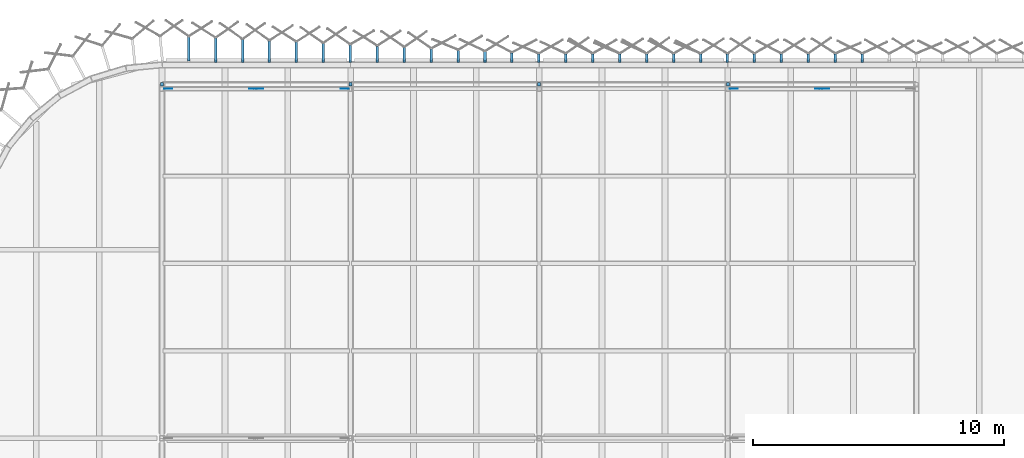
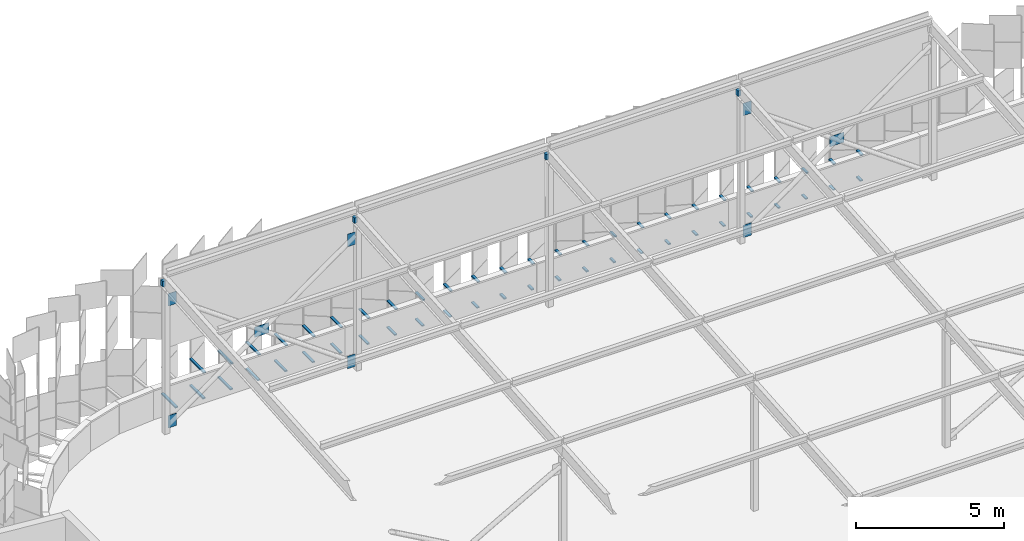
# One storey, part 452 of 483: 63 discrete accessories.
"""IFC4 building model written with IfcOpenShell, lengths in metres."""

import ifcopenshell
import ifcopenshell.guid

model = None  # the IFC model being written
_history = None  # IfcOwnerHistory: only IFC2X3 demands one
_inside = {}  # id of a spatial element -> (the spatial element, [elements in it])
_under = {}  # id of a project, library or spatial element -> (it, [spatial elements below it])
_declared = {}  # id of a project -> (the project, [libraries it declares])
_typed = {}  # id of a type object -> (the type object, [elements of that type])
_made_of = {}  # id of a material, layer set ... -> (it, [elements and type objects made of it])


def new_model(schema):
    """Start an empty IFC model of exactly this schema.

    Asked for "IFC4X3", IfcOpenShell would pick the latest addendum, in which some entities
    have other attributes; the version numbers below select the first issue.
    IFC2X3 requires an IfcOwnerHistory on every rooted entity: one is made here for all.
    """
    global model, _history
    if schema == "IFC4X3":
        model = ifcopenshell.file(schema_version=(4, 3, 0, 0))
    else:
        model = ifcopenshell.file(schema=schema)
    _inside.clear()
    _under.clear()
    _declared.clear()
    _typed.clear()
    _made_of.clear()
    _history = None
    if model.schema == "IFC2X3":
        org = make("IfcOrganization", Name="unknown")
        user = make(
            "IfcPersonAndOrganization",
            ThePerson=make("IfcPerson", FamilyName="unknown"),
            TheOrganization=org,
        )
        app = make(
            "IfcApplication",
            ApplicationDeveloper=org,
            Version="unknown",
            ApplicationFullName="unknown",
            ApplicationIdentifier="unknown",
        )
        _history = make(
            "IfcOwnerHistory",
            OwningUser=user,
            OwningApplication=app,
            ChangeAction="ADDED",
            CreationDate=0,
        )
    return model


def make(cls, **values):
    """One entity of the class cls with the attributes given. An attribute that is None is left unset."""
    return model.create_entity(
        cls, **{name: value for name, value in values.items() if value is not None}
    )


def rooted(cls, **values):
    """An entity with a GlobalId (a new one), such as an element, a storey or a relation."""
    return make(cls, GlobalId=ifcopenshell.guid.new(), OwnerHistory=_history, **values)


def si_unit(unit_type, name, prefix=None):
    """IfcSIUnit, for example si_unit("LENGTHUNIT", "METRE", prefix="MILLI")."""
    return make("IfcSIUnit", UnitType=unit_type, Prefix=prefix, Name=name)


def assignment(units):
    """IfcUnitAssignment: the units of a project."""
    return None if units is None else make("IfcUnitAssignment", Units=units)


def point(xyz):
    """IfcCartesianPoint."""
    return None if xyz is None else make("IfcCartesianPoint", Coordinates=xyz)


def direction(xyz):
    """IfcDirection."""
    return None if xyz is None else make("IfcDirection", DirectionRatios=xyz)


def frame(location, z_axis=None, x_axis=None):
    """IfcAxis2Placement3D, a coordinate frame: its origin and axes. An axis left out is left unset."""
    return make(
        "IfcAxis2Placement3D",
        Location=point(location),
        Axis=direction(z_axis),
        RefDirection=direction(x_axis),
    )


def frame_2d(location, x_axis=None):
    """IfcAxis2Placement2D, a coordinate frame in the plane: its origin and x axis."""
    return make(
        "IfcAxis2Placement2D", Location=point(location), RefDirection=direction(x_axis)
    )


def origin():
    """The frame at (0, 0, 0) with its axes left unset."""
    return frame((0.0, 0.0, 0.0))


def origin_2d():
    """The frame at (0, 0) in the plane with its x axis left unset."""
    return frame_2d((0.0, 0.0))


def place(relative_to, where):
    """IfcLocalPlacement: puts the frame where relative to a parent placement (None: the world)."""
    return make(
        "IfcLocalPlacement", PlacementRelTo=relative_to, RelativePlacement=where
    )


def context(
    kind, dimensions, precision=None, world=None, true_north=None, identifier=None
):
    """IfcGeometricRepresentationContext, for example the 3D "Model" context."""
    return make(
        "IfcGeometricRepresentationContext",
        ContextIdentifier=identifier,
        ContextType=kind,
        CoordinateSpaceDimension=dimensions,
        Precision=precision,
        WorldCoordinateSystem=world,
        TrueNorth=true_north,
    )


def subcontext(parent, identifier, kind, view, scale=None):
    """IfcGeometricRepresentationSubContext, for example "Body" below "Model"."""
    return make(
        "IfcGeometricRepresentationSubContext",
        ContextIdentifier=identifier,
        ContextType=kind,
        ParentContext=parent,
        TargetScale=scale,
        TargetView=view,
    )


def project(units=None, contexts=None):
    """IfcProject with its units and contexts."""
    return rooted(
        "IfcProject",
        Name="project",
        RepresentationContexts=contexts,
        UnitsInContext=assignment(units),
    )


def spatial(cls, under=None, at=None, **own):
    """A site, building, storey or space (cls), placed at a placement, below another one or the project."""
    s = rooted(cls, ObjectPlacement=at, **own)
    if under is not None:
        _under.setdefault(under.id(), (under, []))[1].append(s)
    return s


def polyline(points):
    """IfcPolyline through the points."""
    return make("IfcPolyline", Points=[point(p) for p in points])


def profile(cls, at=None, kind="AREA", **sizes):
    """A parametric profile (cls). Its sizes go by their IFC names, for example OverallWidth=200.0."""
    return make(cls, ProfileType=kind, Position=at, **sizes)


def rectangle(**sizes):
    """IfcRectangleProfileDef."""
    return profile("IfcRectangleProfileDef", **sizes)


def outline(outer, holes=None, kind="AREA"):
    """IfcArbitraryClosedProfileDef: a profile drawn as a closed curve; with holes, ...WithVoids."""
    if holes is None:
        return make("IfcArbitraryClosedProfileDef", ProfileType=kind, OuterCurve=outer)
    return make(
        "IfcArbitraryProfileDefWithVoids",
        ProfileType=kind,
        OuterCurve=outer,
        InnerCurves=holes,
    )


def extrude(swept, where, along, depth):
    """IfcExtrudedAreaSolid: the profile swept, set in the frame where, extruded along a direction by depth."""
    return make(
        "IfcExtrudedAreaSolid",
        SweptArea=swept,
        Position=where,
        ExtrudedDirection=direction(along),
        Depth=depth,
    )


def shape(context_of_items, identifier, shape_type, items):
    """IfcShapeRepresentation: the items that make up one representation, for example the "Body"."""
    return make(
        "IfcShapeRepresentation",
        ContextOfItems=context_of_items,
        RepresentationIdentifier=identifier,
        RepresentationType=shape_type,
        Items=items,
    )


def material(Name=None, Category=None):
    """IfcMaterial."""
    return make("IfcMaterial", Name=Name, Category=Category)


def layer(
    of_material, thickness, ventilated=None, Name=None, Category=None, Priority=None
):
    """IfcMaterialLayer: one layer of a wall or slab, of a material (None: an air gap)."""
    return make(
        "IfcMaterialLayer",
        Material=of_material,
        LayerThickness=thickness,
        IsVentilated=ventilated,
        Name=Name,
        Category=Category,
        Priority=Priority,
    )


def layer_set(layers, Name=None):
    """IfcMaterialLayerSet."""
    return make("IfcMaterialLayerSet", MaterialLayers=layers, LayerSetName=Name)


def made_of(thing, what):
    """Note that an element or type object is made of a material, layer set ...; save() writes the relation."""
    if what is not None:
        _made_of.setdefault(what.id(), (what, []))[1].append(thing)
    return thing


def type_object(cls, material=None, **own):
    """A type object (cls), such as IfcWallType, which elements share."""
    return made_of(rooted(cls, **own), material)


def element(
    cls,
    number,
    at=None,
    inside=None,
    cuts=None,
    type_object=None,
    material=None,
    context=None,
    identifier="Body",
    shape_type=None,
    held_by="IfcProductDefinitionShape",
    body=None,
    shapes=None,
    **own,
):
    """One element of the class cls, such as IfcWall. Its Tag is "e" and its number.

    at: its placement. inside: the storey or other place that contains it. cuts: it is an
    opening in that element (IfcRelVoidsElement). A single representation is given by context,
    identifier, shape_type and body (its items); several are given by shapes. held_by: the class
    of the entity that holds the representations. save() writes the other relations.
    """
    e = rooted(cls, Tag="e%d" % number, ObjectPlacement=at, **own)
    if body is not None:
        shapes = [shape(context, identifier, shape_type, body)]
    if shapes is not None:
        e.Representation = make(held_by, Representations=shapes)
    if inside is not None:
        _inside.setdefault(inside.id(), (inside, []))[1].append(e)
    if cuts is not None:
        rooted(
            "IfcRelVoidsElement", RelatingBuildingElement=cuts, RelatedOpeningElement=e
        )
    if type_object is not None:
        _typed.setdefault(type_object.id(), (type_object, []))[1].append(e)
    return made_of(e, material)


def aggregate(whole, parts):
    """IfcRelAggregates: a whole, such as a stair, and the parts it consists of."""
    return rooted("IfcRelAggregates", RelatingObject=whole, RelatedObjects=parts)


def save(model, path):
    """Write the relations noted so far, then the file.

    IfcRelAggregates (storeys below a building ...), IfcRelContainedInSpatialStructure (elements
    in a storey), IfcRelDefinesByType, IfcRelAssociatesMaterial and IfcRelDeclares: one each for
    every whole, place, type object, material and project.
    """
    for whole, parts in _under.values():
        aggregate(whole, parts)
    for where, things in _inside.values():
        rooted(
            "IfcRelContainedInSpatialStructure",
            RelatedElements=things,
            RelatingStructure=where,
        )
    for kind, things in _typed.values():
        rooted("IfcRelDefinesByType", RelatedObjects=things, RelatingType=kind)
    for what, things in _made_of.values():
        rooted("IfcRelAssociatesMaterial", RelatedObjects=things, RelatingMaterial=what)
    for by, libraries in _declared.values():
        rooted("IfcRelDeclares", RelatingContext=by, RelatedDefinitions=libraries)
    model.write(path)


model = new_model("IFC4")

# Units and contexts
model_context = context("Model", 3, precision=1e-05, world=origin(), true_north=direction((0.0, 1.0)))
body_context = subcontext(model_context, "Body", "Model", "MODEL_VIEW")
ifc_project = project(units=[si_unit("LENGTHUNIT", "METRE"), si_unit("AREAUNIT", "SQUARE_METRE"), si_unit("VOLUMEUNIT", "CUBIC_METRE"), si_unit("PLANEANGLEUNIT", "RADIAN"), si_unit("MASSUNIT", "GRAM", prefix="KILO")], contexts=[model_context])

# Site, building, storey
site_placement = place(None, origin())
site = spatial("IfcSite", under=ifc_project, at=site_placement, CompositionType="ELEMENT")
building_placement = place(site_placement, origin())
building = spatial("IfcBuilding", under=site, at=building_placement, Name="Parallax Yard Mobility Hub", CompositionType="ELEMENT")
storey_placement = place(building_placement, frame((0.0, 0.0, 13.199951171875)))
storey = spatial("IfcBuildingStorey", under=building, at=storey_placement, Name="L04", CompositionType="ELEMENT", Elevation=13.199951171875)

# Discrete accessories
ifc_material_1 = material(Name="Steel ASTM A36", Category="steel")
ifc_layer = layer(ifc_material_1, 0.011962890625)
ifc_layer_set = layer_set([ifc_layer], Name="Gusset plate PL12")
discrete_accessory_type_1 = type_object("IfcDiscreteAccessoryType", Name="Gusset plate PL12", PredefinedType="BRACKET", material=ifc_layer_set)
discrete_accessory_1_placement = place(storey_placement, frame((0.0, 0.0, 0.150146484375)))
element("IfcDiscreteAccessory", 1, at=discrete_accessory_1_placement, inside=storey, type_object=discrete_accessory_type_1, Name="Gusset plate PL12 RC bay N-A bay 1 foot on post N-A1", PredefinedType="BRACKET", context=body_context, shape_type="SweptSolid", body=[
    extrude(outline(polyline([(30.08154296875, 141.39404296875), (30.401611328125, 141.39404296875), (30.401611328125, 141.406005859375), (30.08154296875, 141.406005859375), (30.08154296875, 141.39404296875)])), origin(), (0.0, 0.0, 1.0), 0.515380859375),
])
discrete_accessory_2_placement = place(storey_placement, frame((0.0, 0.0, 5.196533203125)))
element("IfcDiscreteAccessory", 2, at=discrete_accessory_2_placement, inside=storey, type_object=discrete_accessory_type_1, Name="Gusset plate PL12 RC bay N-A bay 1 head on post N-A2", PredefinedType="BRACKET", context=body_context, shape_type="SweptSolid", body=[
    extrude(outline(polyline([(37.41845703125, 141.406005859375), (37.098388671875, 141.406005859375), (37.098388671875, 141.39404296875), (37.41845703125, 141.39404296875), (37.41845703125, 141.406005859375)])), origin(), (0.0, 0.0, 1.0), 0.515625),
])
discrete_accessory_3_placement = place(storey_placement, frame((0.0, 0.0, 0.150146484375)))
element("IfcDiscreteAccessory", 3, at=discrete_accessory_3_placement, inside=storey, type_object=discrete_accessory_type_1, Name="Gusset plate PL12 RC bay N-A bay 1 foot on post N-A2", PredefinedType="BRACKET", context=body_context, shape_type="SweptSolid", body=[
    extrude(outline(polyline([(37.41845703125, 141.406005859375), (37.098388671875, 141.406005859375), (37.098388671875, 141.39404296875), (37.41845703125, 141.39404296875), (37.41845703125, 141.406005859375)])), origin(), (0.0, 0.0, 1.0), 0.515380859375),
])
discrete_accessory_4_placement = place(storey_placement, frame((0.0, 0.0, 5.196533203125)))
element("IfcDiscreteAccessory", 4, at=discrete_accessory_4_placement, inside=storey, type_object=discrete_accessory_type_1, Name="Gusset plate PL12 RC bay N-A bay 1 head on post N-A1", PredefinedType="BRACKET", context=body_context, shape_type="SweptSolid", body=[
    extrude(outline(polyline([(30.08154296875, 141.39404296875), (30.401611328125, 141.39404296875), (30.401611328125, 141.406005859375), (30.08154296875, 141.406005859375), (30.08154296875, 141.39404296875)])), origin(), (0.0, 0.0, 1.0), 0.515625),
])
discrete_accessory_5_placement = place(storey_placement, frame((0.0, 0.0, 2.720947265625)))
element("IfcDiscreteAccessory", 5, at=discrete_accessory_5_placement, inside=storey, type_object=discrete_accessory_type_1, Name="Gusset plate PL12 RC bay N-A bay 1 crossing node", PredefinedType="BRACKET", context=body_context, shape_type="SweptSolid", body=[
    extrude(outline(polyline([(33.469970703125, 141.39404296875), (34.030029296875, 141.39404296875), (34.030029296875, 141.406005859375), (33.469970703125, 141.406005859375), (33.469970703125, 141.39404296875)])), origin(), (0.0, 0.0, 1.0), 0.420166015625),
])
discrete_accessory_6_placement = place(storey_placement, frame((0.0, 0.0, 0.150146484375)))
element("IfcDiscreteAccessory", 6, at=discrete_accessory_6_placement, inside=storey, type_object=discrete_accessory_type_1, Name="Gusset plate PL12 RC bay N-A bay 4 foot on post N-A4", PredefinedType="BRACKET", context=body_context, shape_type="SweptSolid", body=[
    extrude(outline(polyline([(52.58154296875, 141.39404296875), (52.901611328125, 141.39404296875), (52.901611328125, 141.406005859375), (52.58154296875, 141.406005859375), (52.58154296875, 141.39404296875)])), origin(), (0.0, 0.0, 1.0), 0.515380859375),
])
discrete_accessory_7_placement = place(storey_placement, frame((0.0, 0.0, 5.196533203125)))
element("IfcDiscreteAccessory", 7, at=discrete_accessory_7_placement, inside=storey, type_object=discrete_accessory_type_1, Name="Gusset plate PL12 RC bay N-A bay 4 head on post N-A4", PredefinedType="BRACKET", context=body_context, shape_type="SweptSolid", body=[
    extrude(outline(polyline([(52.58154296875, 141.39404296875), (52.901611328125, 141.39404296875), (52.901611328125, 141.406005859375), (52.58154296875, 141.406005859375), (52.58154296875, 141.39404296875)])), origin(), (0.0, 0.0, 1.0), 0.515625),
])
discrete_accessory_8_placement = place(storey_placement, frame((0.0, 0.0, 2.720947265625)))
element("IfcDiscreteAccessory", 8, at=discrete_accessory_8_placement, inside=storey, type_object=discrete_accessory_type_1, Name="Gusset plate PL12 RC bay N-A bay 4 crossing node", PredefinedType="BRACKET", context=body_context, shape_type="SweptSolid", body=[
    extrude(outline(polyline([(55.969970703125, 141.39404296875), (56.530029296875, 141.39404296875), (56.530029296875, 141.406005859375), (55.969970703125, 141.406005859375), (55.969970703125, 141.39404296875)])), origin(), (0.0, 0.0, 1.0), 0.420166015625),
])
ifc_material_2 = material(Name="Steel ASTM A36, hot-dip galvanised", Category="steel")
discrete_accessory_type_2 = type_object("IfcDiscreteAccessoryType", Name="Hinge bracket plate 100x50", PredefinedType="BRACKET", material=ifc_material_2)
discrete_accessory_9_placement = place(storey_placement, frame((57.845458984375, 142.6416015625, -0.02490234375), z_axis=(0.0, 0.0, 1.0), x_axis=(0.0, 1.0, 0.0)))
element("IfcDiscreteAccessory", 9, at=discrete_accessory_9_placement, inside=storey, type_object=discrete_accessory_type_2, Name="Hinge bracket plate bay 66.3 level L04", PredefinedType="BRACKET", context=body_context, shape_type="SweptSolid", body=[
    extrude(rectangle(XDim=0.2841796875, YDim=0.10009765625, at=origin_2d()), origin(), (0.0, 0.0, 1.0), 0.050048828125),
])
discrete_accessory_10_placement = place(storey_placement, frame((57.845458984375, 142.61865234375, 1.06982421875), z_axis=(0.0, 0.0, 1.0), x_axis=(0.0, 1.0, 0.0)))
element("IfcDiscreteAccessory", 10, at=discrete_accessory_10_placement, inside=storey, type_object=discrete_accessory_type_2, Name="Hinge bracket plate bay 66.3 level L04", PredefinedType="BRACKET", context=body_context, shape_type="SweptSolid", body=[
    extrude(rectangle(XDim=0.330078125, YDim=0.10009765625, at=origin_2d()), origin(), (0.0, 0.0, 1.0), 0.050048828125),
])
discrete_accessory_11_placement = place(storey_placement, frame((56.77392578125, 142.6416015625, -0.02490234375), z_axis=(0.0, 0.0, 1.0), x_axis=(0.0, 1.0, 0.0)))
element("IfcDiscreteAccessory", 11, at=discrete_accessory_11_placement, inside=storey, type_object=discrete_accessory_type_2, Name="Hinge bracket plate bay 66.4 level L04", PredefinedType="BRACKET", context=body_context, shape_type="SweptSolid", body=[
    extrude(rectangle(XDim=0.2841796875, YDim=0.10009765625, at=origin_2d()), origin(), (0.0, 0.0, 1.0), 0.050048828125),
])
discrete_accessory_12_placement = place(storey_placement, frame((56.77392578125, 142.61865234375, 1.06982421875), z_axis=(0.0, 0.0, 1.0), x_axis=(0.0, 1.0, 0.0)))
element("IfcDiscreteAccessory", 12, at=discrete_accessory_12_placement, inside=storey, type_object=discrete_accessory_type_2, Name="Hinge bracket plate bay 66.4 level L04", PredefinedType="BRACKET", context=body_context, shape_type="SweptSolid", body=[
    extrude(rectangle(XDim=0.330078125, YDim=0.10009765625, at=origin_2d()), origin(), (0.0, 0.0, 1.0), 0.050048828125),
])
discrete_accessory_13_placement = place(storey_placement, frame((55.702392578125, 142.6416015625, -0.02490234375), z_axis=(0.0, 0.0, 1.0), x_axis=(0.0, 1.0, 0.0)))
element("IfcDiscreteAccessory", 13, at=discrete_accessory_13_placement, inside=storey, type_object=discrete_accessory_type_2, Name="Hinge bracket plate bay 66.5 level L04", PredefinedType="BRACKET", context=body_context, shape_type="SweptSolid", body=[
    extrude(rectangle(XDim=0.2841796875, YDim=0.10009765625, at=origin_2d()), origin(), (0.0, 0.0, 1.0), 0.050048828125),
])
discrete_accessory_14_placement = place(storey_placement, frame((55.702392578125, 142.61865234375, 1.06982421875), z_axis=(0.0, 0.0, 1.0), x_axis=(0.0, 1.0, 0.0)))
element("IfcDiscreteAccessory", 14, at=discrete_accessory_14_placement, inside=storey, type_object=discrete_accessory_type_2, Name="Hinge bracket plate bay 66.5 level L04", PredefinedType="BRACKET", context=body_context, shape_type="SweptSolid", body=[
    extrude(rectangle(XDim=0.330078125, YDim=0.10009765625, at=origin_2d()), origin(), (0.0, 0.0, 1.0), 0.050048828125),
])
discrete_accessory_15_placement = place(storey_placement, frame((54.630859375, 142.6416015625, -0.02490234375), z_axis=(0.0, 0.0, 1.0), x_axis=(0.0, 1.0, 0.0)))
element("IfcDiscreteAccessory", 15, at=discrete_accessory_15_placement, inside=storey, type_object=discrete_accessory_type_2, Name="Hinge bracket plate bay 66.6 level L04", PredefinedType="BRACKET", context=body_context, shape_type="SweptSolid", body=[
    extrude(rectangle(XDim=0.2841796875, YDim=0.10009765625, at=origin_2d()), origin(), (0.0, 0.0, 1.0), 0.050048828125),
])
discrete_accessory_16_placement = place(storey_placement, frame((54.630859375, 142.61865234375, 1.06982421875), z_axis=(0.0, 0.0, 1.0), x_axis=(0.0, 1.0, 0.0)))
element("IfcDiscreteAccessory", 16, at=discrete_accessory_16_placement, inside=storey, type_object=discrete_accessory_type_2, Name="Hinge bracket plate bay 66.6 level L04", PredefinedType="BRACKET", context=body_context, shape_type="SweptSolid", body=[
    extrude(rectangle(XDim=0.330078125, YDim=0.10009765625, at=origin_2d()), origin(), (0.0, 0.0, 1.0), 0.050048828125),
])
discrete_accessory_17_placement = place(storey_placement, frame((53.55908203125, 142.6416015625, -0.02490234375), z_axis=(0.0, 0.0, 1.0), x_axis=(0.0, 1.0, 0.0)))
element("IfcDiscreteAccessory", 17, at=discrete_accessory_17_placement, inside=storey, type_object=discrete_accessory_type_2, Name="Hinge bracket plate bay 66.7 level L04", PredefinedType="BRACKET", context=body_context, shape_type="SweptSolid", body=[
    extrude(rectangle(XDim=0.2841796875, YDim=0.10009765625, at=origin_2d()), origin(), (0.0, 0.0, 1.0), 0.050048828125),
])
discrete_accessory_18_placement = place(storey_placement, frame((53.55908203125, 142.61865234375, 1.06982421875), z_axis=(0.0, 0.0, 1.0), x_axis=(0.0, 1.0, 0.0)))
element("IfcDiscreteAccessory", 18, at=discrete_accessory_18_placement, inside=storey, type_object=discrete_accessory_type_2, Name="Hinge bracket plate bay 66.7 level L04", PredefinedType="BRACKET", context=body_context, shape_type="SweptSolid", body=[
    extrude(rectangle(XDim=0.330078125, YDim=0.10009765625, at=origin_2d()), origin(), (0.0, 0.0, 1.0), 0.050048828125),
])
discrete_accessory_19_placement = place(storey_placement, frame((52.48779296875, 142.6416015625, -0.02490234375), z_axis=(0.0, 0.0, 1.0), x_axis=(0.0, 1.0, 0.0)))
element("IfcDiscreteAccessory", 19, at=discrete_accessory_19_placement, inside=storey, type_object=discrete_accessory_type_2, Name="Hinge bracket plate bay 67.1 level L04", PredefinedType="BRACKET", context=body_context, shape_type="SweptSolid", body=[
    extrude(rectangle(XDim=0.2841796875, YDim=0.10009765625, at=origin_2d()), origin(), (0.0, 0.0, 1.0), 0.050048828125),
])
discrete_accessory_20_placement = place(storey_placement, frame((52.48779296875, 142.61865234375, 1.06982421875), z_axis=(0.0, 0.0, 1.0), x_axis=(0.0, 1.0, 0.0)))
element("IfcDiscreteAccessory", 20, at=discrete_accessory_20_placement, inside=storey, type_object=discrete_accessory_type_2, Name="Hinge bracket plate bay 67.1 level L04", PredefinedType="BRACKET", context=body_context, shape_type="SweptSolid", body=[
    extrude(rectangle(XDim=0.330078125, YDim=0.10009765625, at=origin_2d()), origin(), (0.0, 0.0, 1.0), 0.050048828125),
])
discrete_accessory_21_placement = place(storey_placement, frame((51.416015625, 142.6416015625, -0.02490234375), z_axis=(0.0, 0.0, 1.0), x_axis=(0.0, 1.0, 0.0)))
element("IfcDiscreteAccessory", 21, at=discrete_accessory_21_placement, inside=storey, type_object=discrete_accessory_type_2, Name="Hinge bracket plate bay 67.2 level L04", PredefinedType="BRACKET", context=body_context, shape_type="SweptSolid", body=[
    extrude(rectangle(XDim=0.2841796875, YDim=0.10009765625, at=origin_2d()), origin(), (0.0, 0.0, 1.0), 0.050048828125),
])
discrete_accessory_22_placement = place(storey_placement, frame((51.416015625, 142.61865234375, 1.06982421875), z_axis=(0.0, 0.0, 1.0), x_axis=(0.0, 1.0, 0.0)))
element("IfcDiscreteAccessory", 22, at=discrete_accessory_22_placement, inside=storey, type_object=discrete_accessory_type_2, Name="Hinge bracket plate bay 67.2 level L04", PredefinedType="BRACKET", context=body_context, shape_type="SweptSolid", body=[
    extrude(rectangle(XDim=0.330078125, YDim=0.10009765625, at=origin_2d()), origin(), (0.0, 0.0, 1.0), 0.050048828125),
])
discrete_accessory_23_placement = place(storey_placement, frame((50.344482421875, 142.6416015625, -0.02490234375), z_axis=(0.0, 0.0, 1.0), x_axis=(0.0, 1.0, 0.0)))
element("IfcDiscreteAccessory", 23, at=discrete_accessory_23_placement, inside=storey, type_object=discrete_accessory_type_2, Name="Hinge bracket plate bay 67.3 level L04", PredefinedType="BRACKET", context=body_context, shape_type="SweptSolid", body=[
    extrude(rectangle(XDim=0.2841796875, YDim=0.10009765625, at=origin_2d()), origin(), (0.0, 0.0, 1.0), 0.050048828125),
])
discrete_accessory_24_placement = place(storey_placement, frame((50.344482421875, 142.61865234375, 1.06982421875), z_axis=(0.0, 0.0, 1.0), x_axis=(0.0, 1.0, 0.0)))
element("IfcDiscreteAccessory", 24, at=discrete_accessory_24_placement, inside=storey, type_object=discrete_accessory_type_2, Name="Hinge bracket plate bay 67.3 level L04", PredefinedType="BRACKET", context=body_context, shape_type="SweptSolid", body=[
    extrude(rectangle(XDim=0.330078125, YDim=0.10009765625, at=origin_2d()), origin(), (0.0, 0.0, 1.0), 0.050048828125),
])
discrete_accessory_25_placement = place(storey_placement, frame((49.27294921875, 142.6416015625, -0.02490234375), z_axis=(0.0, 0.0, 1.0), x_axis=(0.0, 1.0, 0.0)))
element("IfcDiscreteAccessory", 25, at=discrete_accessory_25_placement, inside=storey, type_object=discrete_accessory_type_2, Name="Hinge bracket plate bay 67.4 level L04", PredefinedType="BRACKET", context=body_context, shape_type="SweptSolid", body=[
    extrude(rectangle(XDim=0.2841796875, YDim=0.10009765625, at=origin_2d()), origin(), (0.0, 0.0, 1.0), 0.050048828125),
])
discrete_accessory_26_placement = place(storey_placement, frame((49.27294921875, 142.61865234375, 1.06982421875), z_axis=(0.0, 0.0, 1.0), x_axis=(0.0, 1.0, 0.0)))
element("IfcDiscreteAccessory", 26, at=discrete_accessory_26_placement, inside=storey, type_object=discrete_accessory_type_2, Name="Hinge bracket plate bay 67.4 level L04", PredefinedType="BRACKET", context=body_context, shape_type="SweptSolid", body=[
    extrude(rectangle(XDim=0.330078125, YDim=0.10009765625, at=origin_2d()), origin(), (0.0, 0.0, 1.0), 0.050048828125),
])
discrete_accessory_27_placement = place(storey_placement, frame((48.201416015625, 142.6416015625, -0.02490234375), z_axis=(0.0, 0.0, 1.0), x_axis=(0.0, 1.0, 0.0)))
element("IfcDiscreteAccessory", 27, at=discrete_accessory_27_placement, inside=storey, type_object=discrete_accessory_type_2, Name="Hinge bracket plate bay 67.5 level L04", PredefinedType="BRACKET", context=body_context, shape_type="SweptSolid", body=[
    extrude(rectangle(XDim=0.2841796875, YDim=0.10009765625, at=origin_2d()), origin(), (0.0, 0.0, 1.0), 0.050048828125),
])
discrete_accessory_28_placement = place(storey_placement, frame((48.201416015625, 142.61865234375, 1.06982421875), z_axis=(0.0, 0.0, 1.0), x_axis=(0.0, 1.0, 0.0)))
element("IfcDiscreteAccessory", 28, at=discrete_accessory_28_placement, inside=storey, type_object=discrete_accessory_type_2, Name="Hinge bracket plate bay 67.5 level L04", PredefinedType="BRACKET", context=body_context, shape_type="SweptSolid", body=[
    extrude(rectangle(XDim=0.330078125, YDim=0.10009765625, at=origin_2d()), origin(), (0.0, 0.0, 1.0), 0.050048828125),
])
discrete_accessory_29_placement = place(storey_placement, frame((47.1298828125, 142.6416015625, -0.02490234375), z_axis=(0.0, 0.0, 1.0), x_axis=(0.0, 1.0, 0.0)))
element("IfcDiscreteAccessory", 29, at=discrete_accessory_29_placement, inside=storey, type_object=discrete_accessory_type_2, Name="Hinge bracket plate bay 67.6 level L04", PredefinedType="BRACKET", context=body_context, shape_type="SweptSolid", body=[
    extrude(rectangle(XDim=0.2841796875, YDim=0.10009765625, at=origin_2d()), origin(), (0.0, 0.0, 1.0), 0.050048828125),
])
discrete_accessory_30_placement = place(storey_placement, frame((47.1298828125, 142.61865234375, 1.06982421875), z_axis=(0.0, 0.0, 1.0), x_axis=(0.0, 1.0, 0.0)))
element("IfcDiscreteAccessory", 30, at=discrete_accessory_30_placement, inside=storey, type_object=discrete_accessory_type_2, Name="Hinge bracket plate bay 67.6 level L04", PredefinedType="BRACKET", context=body_context, shape_type="SweptSolid", body=[
    extrude(rectangle(XDim=0.330078125, YDim=0.10009765625, at=origin_2d()), origin(), (0.0, 0.0, 1.0), 0.050048828125),
])
discrete_accessory_31_placement = place(storey_placement, frame((46.058349609375, 142.6416015625, -0.02490234375), z_axis=(0.0, 0.0, 1.0), x_axis=(0.0, 1.0, 0.0)))
element("IfcDiscreteAccessory", 31, at=discrete_accessory_31_placement, inside=storey, type_object=discrete_accessory_type_2, Name="Hinge bracket plate bay 67.7 level L04", PredefinedType="BRACKET", context=body_context, shape_type="SweptSolid", body=[
    extrude(rectangle(XDim=0.2841796875, YDim=0.10009765625, at=origin_2d()), origin(), (0.0, 0.0, 1.0), 0.050048828125),
])
discrete_accessory_32_placement = place(storey_placement, frame((46.058349609375, 142.61865234375, 1.06982421875), z_axis=(0.0, 0.0, 1.0), x_axis=(0.0, 1.0, 0.0)))
element("IfcDiscreteAccessory", 32, at=discrete_accessory_32_placement, inside=storey, type_object=discrete_accessory_type_2, Name="Hinge bracket plate bay 67.7 level L04", PredefinedType="BRACKET", context=body_context, shape_type="SweptSolid", body=[
    extrude(rectangle(XDim=0.330078125, YDim=0.10009765625, at=origin_2d()), origin(), (0.0, 0.0, 1.0), 0.050048828125),
])
discrete_accessory_33_placement = place(storey_placement, frame((44.98681640625, 142.6416015625, -0.02490234375), z_axis=(0.0, 0.0, 1.0), x_axis=(0.0, 1.0, 0.0)))
element("IfcDiscreteAccessory", 33, at=discrete_accessory_33_placement, inside=storey, type_object=discrete_accessory_type_2, Name="Hinge bracket plate bay 68.1 level L04", PredefinedType="BRACKET", context=body_context, shape_type="SweptSolid", body=[
    extrude(rectangle(XDim=0.2841796875, YDim=0.10009765625, at=origin_2d()), origin(), (0.0, 0.0, 1.0), 0.050048828125),
])
discrete_accessory_34_placement = place(storey_placement, frame((44.98681640625, 142.61865234375, 1.06982421875), z_axis=(0.0, 0.0, 1.0), x_axis=(0.0, 1.0, 0.0)))
element("IfcDiscreteAccessory", 34, at=discrete_accessory_34_placement, inside=storey, type_object=discrete_accessory_type_2, Name="Hinge bracket plate bay 68.1 level L04", PredefinedType="BRACKET", context=body_context, shape_type="SweptSolid", body=[
    extrude(rectangle(XDim=0.330078125, YDim=0.10009765625, at=origin_2d()), origin(), (0.0, 0.0, 1.0), 0.050048828125),
])
discrete_accessory_35_placement = place(storey_placement, frame((43.915283203125, 142.662109375, -0.02490234375), z_axis=(0.0, 0.0, 1.0), x_axis=(0.0, 1.0, 0.0)))
element("IfcDiscreteAccessory", 35, at=discrete_accessory_35_placement, inside=storey, type_object=discrete_accessory_type_2, Name="Hinge bracket plate bay 68.2 level L04", PredefinedType="BRACKET", context=body_context, shape_type="SweptSolid", body=[
    extrude(rectangle(XDim=0.3251953125, YDim=0.10009765625, at=origin_2d()), origin(), (0.0, 0.0, 1.0), 0.050048828125),
])
discrete_accessory_36_placement = place(storey_placement, frame((43.915283203125, 142.63916015625, 1.06982421875), z_axis=(0.0, 0.0, 1.0), x_axis=(0.0, 1.0, 0.0)))
element("IfcDiscreteAccessory", 36, at=discrete_accessory_36_placement, inside=storey, type_object=discrete_accessory_type_2, Name="Hinge bracket plate bay 68.2 level L04", PredefinedType="BRACKET", context=body_context, shape_type="SweptSolid", body=[
    extrude(rectangle(XDim=0.37109375, YDim=0.10009765625, at=origin_2d()), origin(), (0.0, 0.0, 1.0), 0.050048828125),
])
discrete_accessory_37_placement = place(storey_placement, frame((42.84375, 142.68896484375, -0.02490234375), z_axis=(0.0, 0.0, 1.0), x_axis=(0.0, 1.0, 0.0)))
element("IfcDiscreteAccessory", 37, at=discrete_accessory_37_placement, inside=storey, type_object=discrete_accessory_type_2, Name="Hinge bracket plate bay 68.3 level L04", PredefinedType="BRACKET", context=body_context, shape_type="SweptSolid", body=[
    extrude(rectangle(XDim=0.37890625, YDim=0.10009765625, at=origin_2d()), origin(), (0.0, 0.0, 1.0), 0.050048828125),
])
discrete_accessory_38_placement = place(storey_placement, frame((42.84375, 142.666015625, 1.06982421875), z_axis=(0.0, 0.0, 1.0), x_axis=(0.0, 1.0, 0.0)))
element("IfcDiscreteAccessory", 38, at=discrete_accessory_38_placement, inside=storey, type_object=discrete_accessory_type_2, Name="Hinge bracket plate bay 68.3 level L04", PredefinedType="BRACKET", context=body_context, shape_type="SweptSolid", body=[
    extrude(rectangle(XDim=0.4248046875, YDim=0.10009765625, at=origin_2d()), origin(), (0.0, 0.0, 1.0), 0.050048828125),
])
discrete_accessory_39_placement = place(storey_placement, frame((41.772216796875, 142.7158203125, -0.02490234375), z_axis=(0.0, 0.0, 1.0), x_axis=(0.0, 1.0, 0.0)))
element("IfcDiscreteAccessory", 39, at=discrete_accessory_39_placement, inside=storey, type_object=discrete_accessory_type_2, Name="Hinge bracket plate bay 68.4 level L04", PredefinedType="BRACKET", context=body_context, shape_type="SweptSolid", body=[
    extrude(rectangle(XDim=0.432373046875, YDim=0.10009765625, at=origin_2d()), origin(), (0.0, 0.0, 1.0), 0.050048828125),
])
discrete_accessory_40_placement = place(storey_placement, frame((41.772216796875, 142.692626953125, 1.06982421875), z_axis=(0.0, 0.0, 1.0), x_axis=(0.0, 1.0, 0.0)))
element("IfcDiscreteAccessory", 40, at=discrete_accessory_40_placement, inside=storey, type_object=discrete_accessory_type_2, Name="Hinge bracket plate bay 68.4 level L04", PredefinedType="BRACKET", context=body_context, shape_type="SweptSolid", body=[
    extrude(rectangle(XDim=0.478515625, YDim=0.10009765625, at=origin_2d()), origin(), (0.0, 0.0, 1.0), 0.050048828125),
])
discrete_accessory_41_placement = place(storey_placement, frame((40.700439453125, 142.742431640625, -0.02490234375), z_axis=(0.0, 0.0, 1.0), x_axis=(0.0, 1.0, 0.0)))
element("IfcDiscreteAccessory", 41, at=discrete_accessory_41_placement, inside=storey, type_object=discrete_accessory_type_2, Name="Hinge bracket plate bay 68.5 level L04", PredefinedType="BRACKET", context=body_context, shape_type="SweptSolid", body=[
    extrude(rectangle(XDim=0.48583984375, YDim=0.10009765625, at=origin_2d()), origin(), (0.0, 0.0, 1.0), 0.050048828125),
])
discrete_accessory_42_placement = place(storey_placement, frame((40.700439453125, 142.719482421875, 1.06982421875), z_axis=(0.0, 0.0, 1.0), x_axis=(0.0, 1.0, 0.0)))
element("IfcDiscreteAccessory", 42, at=discrete_accessory_42_placement, inside=storey, type_object=discrete_accessory_type_2, Name="Hinge bracket plate bay 68.5 level L04", PredefinedType="BRACKET", context=body_context, shape_type="SweptSolid", body=[
    extrude(rectangle(XDim=0.531982421875, YDim=0.10009765625, at=origin_2d()), origin(), (0.0, 0.0, 1.0), 0.050048828125),
])
discrete_accessory_43_placement = place(storey_placement, frame((39.62890625, 142.769287109375, -0.02490234375), z_axis=(0.0, 0.0, 1.0), x_axis=(0.0, 1.0, 0.0)))
element("IfcDiscreteAccessory", 43, at=discrete_accessory_43_placement, inside=storey, type_object=discrete_accessory_type_2, Name="Hinge bracket plate bay 68.6 level L04", PredefinedType="BRACKET", context=body_context, shape_type="SweptSolid", body=[
    extrude(rectangle(XDim=0.53955078125, YDim=0.10009765625, at=origin_2d()), origin(), (0.0, 0.0, 1.0), 0.050048828125),
])
discrete_accessory_44_placement = place(storey_placement, frame((39.62890625, 142.746337890625, 1.06982421875), z_axis=(0.0, 0.0, 1.0), x_axis=(0.0, 1.0, 0.0)))
element("IfcDiscreteAccessory", 44, at=discrete_accessory_44_placement, inside=storey, type_object=discrete_accessory_type_2, Name="Hinge bracket plate bay 68.6 level L04", PredefinedType="BRACKET", context=body_context, shape_type="SweptSolid", body=[
    extrude(rectangle(XDim=0.58544921875, YDim=0.10009765625, at=origin_2d()), origin(), (0.0, 0.0, 1.0), 0.050048828125),
])
discrete_accessory_45_placement = place(storey_placement, frame((38.557373046875, 142.7958984375, -0.02490234375), z_axis=(0.0, 0.0, 1.0), x_axis=(0.0, 1.0, 0.0)))
element("IfcDiscreteAccessory", 45, at=discrete_accessory_45_placement, inside=storey, type_object=discrete_accessory_type_2, Name="Hinge bracket plate bay 68.7 level L04", PredefinedType="BRACKET", context=body_context, shape_type="SweptSolid", body=[
    extrude(rectangle(XDim=0.593017578125, YDim=0.10009765625, at=origin_2d()), origin(), (0.0, 0.0, 1.0), 0.050048828125),
])
discrete_accessory_46_placement = place(storey_placement, frame((38.557373046875, 142.77294921875, 1.06982421875), z_axis=(0.0, 0.0, 1.0), x_axis=(0.0, 1.0, 0.0)))
element("IfcDiscreteAccessory", 46, at=discrete_accessory_46_placement, inside=storey, type_object=discrete_accessory_type_2, Name="Hinge bracket plate bay 68.7 level L04", PredefinedType="BRACKET", context=body_context, shape_type="SweptSolid", body=[
    extrude(rectangle(XDim=0.63916015625, YDim=0.10009765625, at=origin_2d()), origin(), (0.0, 0.0, 1.0), 0.050048828125),
])
discrete_accessory_47_placement = place(storey_placement, frame((37.48583984375, 142.82275390625, -0.02490234375), z_axis=(0.0, 0.0, 1.0), x_axis=(0.0, 1.0, 0.0)))
element("IfcDiscreteAccessory", 47, at=discrete_accessory_47_placement, inside=storey, type_object=discrete_accessory_type_2, Name="Hinge bracket plate bay 69.1 level L04", PredefinedType="BRACKET", context=body_context, shape_type="SweptSolid", body=[
    extrude(rectangle(XDim=0.646728515625, YDim=0.10009765625, at=origin_2d()), origin(), (0.0, 0.0, 1.0), 0.050048828125),
])
discrete_accessory_48_placement = place(storey_placement, frame((37.48583984375, 142.7998046875, 1.06982421875), z_axis=(0.0, 0.0, 1.0), x_axis=(0.0, 1.0, 0.0)))
element("IfcDiscreteAccessory", 48, at=discrete_accessory_48_placement, inside=storey, type_object=discrete_accessory_type_2, Name="Hinge bracket plate bay 69.1 level L04", PredefinedType="BRACKET", context=body_context, shape_type="SweptSolid", body=[
    extrude(rectangle(XDim=0.692626953125, YDim=0.10009765625, at=origin_2d()), origin(), (0.0, 0.0, 1.0), 0.050048828125),
])
discrete_accessory_49_placement = place(storey_placement, frame((36.414306640625, 142.849609375, -0.02490234375), z_axis=(0.0, 0.0, 1.0), x_axis=(0.0, 1.0, 0.0)))
element("IfcDiscreteAccessory", 49, at=discrete_accessory_49_placement, inside=storey, type_object=discrete_accessory_type_2, Name="Hinge bracket plate bay 69.2 level L04", PredefinedType="BRACKET", context=body_context, shape_type="SweptSolid", body=[
    extrude(rectangle(XDim=0.7001953125, YDim=0.10009765625, at=origin_2d()), origin(), (0.0, 0.0, 1.0), 0.050048828125),
])
discrete_accessory_50_placement = place(storey_placement, frame((36.414306640625, 142.82666015625, 1.06982421875), z_axis=(0.0, 0.0, 1.0), x_axis=(0.0, 1.0, 0.0)))
element("IfcDiscreteAccessory", 50, at=discrete_accessory_50_placement, inside=storey, type_object=discrete_accessory_type_2, Name="Hinge bracket plate bay 69.2 level L04", PredefinedType="BRACKET", context=body_context, shape_type="SweptSolid", body=[
    extrude(rectangle(XDim=0.74609375, YDim=0.10009765625, at=origin_2d()), origin(), (0.0, 0.0, 1.0), 0.050048828125),
])
discrete_accessory_51_placement = place(storey_placement, frame((35.3427734375, 142.87646484375, -0.02490234375), z_axis=(0.0, 0.0, 1.0), x_axis=(0.0, 1.0, 0.0)))
element("IfcDiscreteAccessory", 51, at=discrete_accessory_51_placement, inside=storey, type_object=discrete_accessory_type_2, Name="Hinge bracket plate bay 69.3 level L04", PredefinedType="BRACKET", context=body_context, shape_type="SweptSolid", body=[
    extrude(rectangle(XDim=0.75390625, YDim=0.10009765625, at=origin_2d()), origin(), (0.0, 0.0, 1.0), 0.050048828125),
])
discrete_accessory_52_placement = place(storey_placement, frame((35.3427734375, 142.853515625, 1.06982421875), z_axis=(0.0, 0.0, 1.0), x_axis=(0.0, 1.0, 0.0)))
element("IfcDiscreteAccessory", 52, at=discrete_accessory_52_placement, inside=storey, type_object=discrete_accessory_type_2, Name="Hinge bracket plate bay 69.3 level L04", PredefinedType="BRACKET", context=body_context, shape_type="SweptSolid", body=[
    extrude(rectangle(XDim=0.7998046875, YDim=0.10009765625, at=origin_2d()), origin(), (0.0, 0.0, 1.0), 0.050048828125),
])
discrete_accessory_53_placement = place(storey_placement, frame((34.271240234375, 142.9033203125, -0.02490234375), z_axis=(0.0, 0.0, 1.0), x_axis=(0.0, 1.0, 0.0)))
element("IfcDiscreteAccessory", 53, at=discrete_accessory_53_placement, inside=storey, type_object=discrete_accessory_type_2, Name="Hinge bracket plate bay 69.4 level L04", PredefinedType="BRACKET", context=body_context, shape_type="SweptSolid", body=[
    extrude(rectangle(XDim=0.807373046875, YDim=0.10009765625, at=origin_2d()), origin(), (0.0, 0.0, 1.0), 0.050048828125),
])
discrete_accessory_54_placement = place(storey_placement, frame((34.271240234375, 142.880126953125, 1.06982421875), z_axis=(0.0, 0.0, 1.0), x_axis=(0.0, 1.0, 0.0)))
element("IfcDiscreteAccessory", 54, at=discrete_accessory_54_placement, inside=storey, type_object=discrete_accessory_type_2, Name="Hinge bracket plate bay 69.4 level L04", PredefinedType="BRACKET", context=body_context, shape_type="SweptSolid", body=[
    extrude(rectangle(XDim=0.853515625, YDim=0.10009765625, at=origin_2d()), origin(), (0.0, 0.0, 1.0), 0.050048828125),
])
discrete_accessory_55_placement = place(storey_placement, frame((33.19970703125, 142.929931640625, -0.02490234375), z_axis=(0.0, 0.0, 1.0), x_axis=(0.0, 1.0, 0.0)))
element("IfcDiscreteAccessory", 55, at=discrete_accessory_55_placement, inside=storey, type_object=discrete_accessory_type_2, Name="Hinge bracket plate bay 69.5 level L04", PredefinedType="BRACKET", context=body_context, shape_type="SweptSolid", body=[
    extrude(rectangle(XDim=0.86083984375, YDim=0.10009765625, at=origin_2d()), origin(), (0.0, 0.0, 1.0), 0.050048828125),
])
discrete_accessory_56_placement = place(storey_placement, frame((33.19970703125, 142.906982421875, 1.06982421875), z_axis=(0.0, 0.0, 1.0), x_axis=(0.0, 1.0, 0.0)))
element("IfcDiscreteAccessory", 56, at=discrete_accessory_56_placement, inside=storey, type_object=discrete_accessory_type_2, Name="Hinge bracket plate bay 69.5 level L04", PredefinedType="BRACKET", context=body_context, shape_type="SweptSolid", body=[
    extrude(rectangle(XDim=0.906982421875, YDim=0.10009765625, at=origin_2d()), origin(), (0.0, 0.0, 1.0), 0.050048828125),
])
discrete_accessory_57_placement = place(storey_placement, frame((32.128173828125, 142.956787109375, -0.02490234375), z_axis=(0.0, 0.0, 1.0), x_axis=(0.0, 1.0, 0.0)))
element("IfcDiscreteAccessory", 57, at=discrete_accessory_57_placement, inside=storey, type_object=discrete_accessory_type_2, Name="Hinge bracket plate bay 69.6 level L04", PredefinedType="BRACKET", context=body_context, shape_type="SweptSolid", body=[
    extrude(rectangle(XDim=0.91455078125, YDim=0.10009765625, at=origin_2d()), origin(), (0.0, 0.0, 1.0), 0.050048828125),
])
discrete_accessory_58_placement = place(storey_placement, frame((32.128173828125, 142.933837890625, 1.06982421875), z_axis=(0.0, 0.0, 1.0), x_axis=(0.0, 1.0, 0.0)))
element("IfcDiscreteAccessory", 58, at=discrete_accessory_58_placement, inside=storey, type_object=discrete_accessory_type_2, Name="Hinge bracket plate bay 69.6 level L04", PredefinedType="BRACKET", context=body_context, shape_type="SweptSolid", body=[
    extrude(rectangle(XDim=0.96044921875, YDim=0.10009765625, at=origin_2d()), origin(), (0.0, 0.0, 1.0), 0.050048828125),
])
discrete_accessory_59_placement = place(storey_placement, frame((31.056396484375, 142.9833984375, -0.02490234375), z_axis=(0.0, 0.0, 1.0), x_axis=(0.0, 1.0, 0.0)))
element("IfcDiscreteAccessory", 59, at=discrete_accessory_59_placement, inside=storey, type_object=discrete_accessory_type_2, Name="Hinge bracket plate bay 69.7 level L04", PredefinedType="BRACKET", context=body_context, shape_type="SweptSolid", body=[
    extrude(rectangle(XDim=0.968017578125, YDim=0.10009765625, at=origin_2d()), origin(), (0.0, 0.0, 1.0), 0.050048828125),
])
discrete_accessory_type_3 = type_object("IfcDiscreteAccessoryType", Name="Valance bracket plate", PredefinedType="BRACKET", material=ifc_material_2)
for number, where, z_axis, x_axis, name in (
    (60, (30.0, 141.590087890625, 5.961181640625), (0.0, 0.0, 1.0), (0.0, 1.0, 0.0), "Valance bracket plate N-A1"),
    (61, (37.5, 141.590087890625, 5.961181640625), (0.0, 0.0, 1.0), (0.0, 1.0, 0.0), "Valance bracket plate N-A2"),
    (62, (45.0, 141.590087890625, 5.961181640625), (0.0, 0.0, 1.0), (0.0, 1.0, 0.0), "Valance bracket plate N-A3"),
    (63, (52.5, 141.590087890625, 5.961181640625), (0.0, 0.0, 1.0), (0.0, 1.0, 0.0), "Valance bracket plate N-A4"),
):
    element("IfcDiscreteAccessory", number, at=place(storey_placement, frame(where, z_axis=z_axis, x_axis=x_axis)), inside=storey, type_object=discrete_accessory_type_3, Name=name, PredefinedType="BRACKET", context=body_context, shape_type="SweptSolid", body=[
        extrude(rectangle(XDim=0.139892578125, YDim=0.1201171875, at=origin_2d()), origin(), (0.0, 0.0, 1.0), 0.22998046875),
    ])

save(model, "model.ifc")
